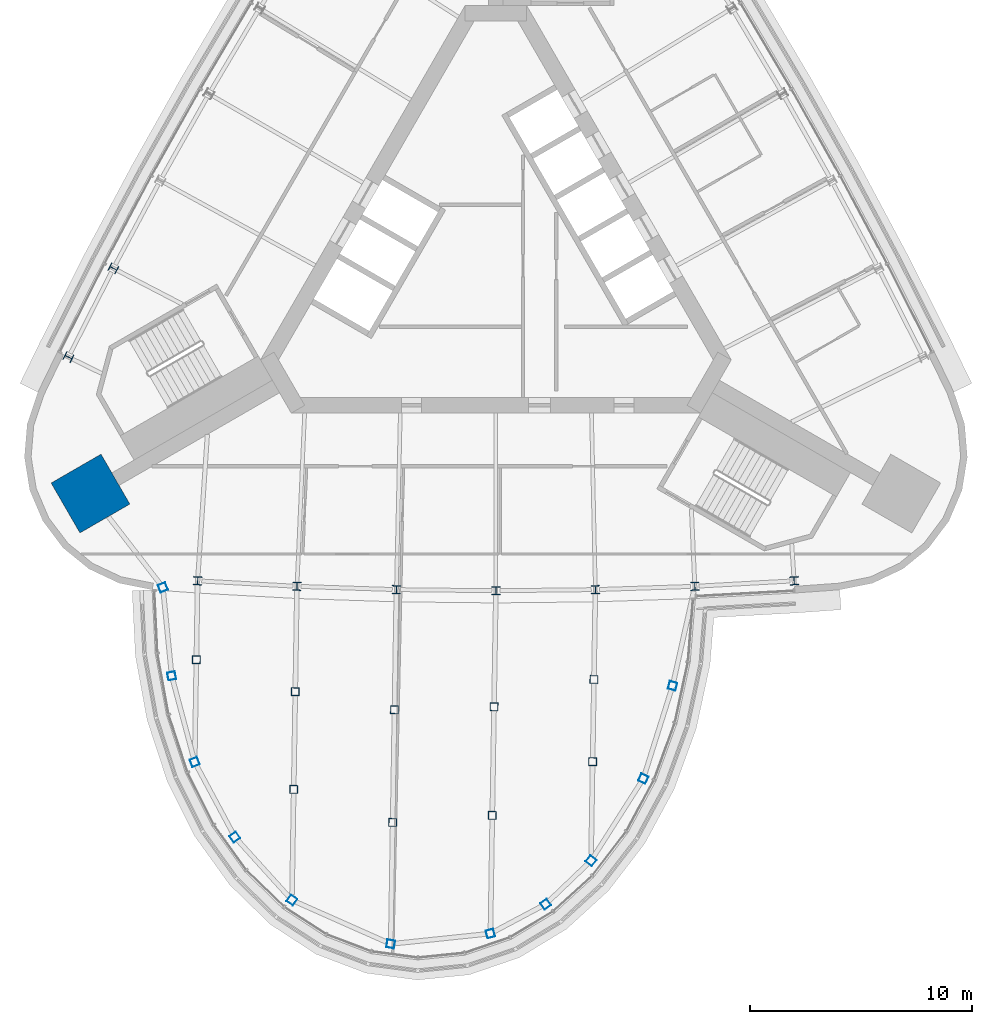
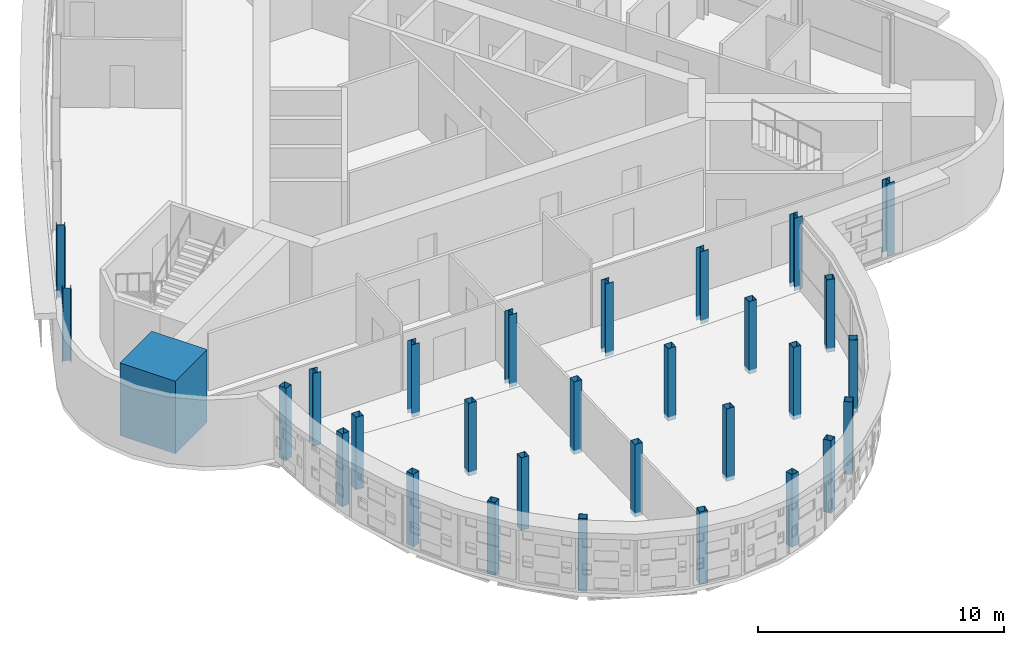
# One storey, part 1 of 14: 30 columns.
"""IFC4 building model written with IfcOpenShell, lengths in metres."""

from ifc_helpers import new_model, si_unit, direction, frame, origin, origin_2d, place, context, subcontext, project, spatial, rectangle, hollow_rectangle, i_section, extrude, material, material_profile, profile_set, type_object, element, save


model = new_model("IFC4")

# Units and contexts
model_context = context("Model", 3, precision=1e-05, world=origin(), true_north=direction((0.0, 1.0)))
body_context = subcontext(model_context, "Body", "Model", "MODEL_VIEW")
ifc_project = project(units=[si_unit("LENGTHUNIT", "METRE"), si_unit("AREAUNIT", "SQUARE_METRE"), si_unit("VOLUMEUNIT", "CUBIC_METRE"), si_unit("PLANEANGLEUNIT", "RADIAN"), si_unit("MASSUNIT", "GRAM", prefix="KILO")], contexts=[model_context])

# Site, building, storey
site_placement = place(None, origin())
site = spatial("IfcSite", under=ifc_project, at=site_placement, CompositionType="ELEMENT")
building_placement = place(site_placement, origin())
building = spatial("IfcBuilding", under=site, at=building_placement, Name="Noor Cloister Tower", CompositionType="ELEMENT")
storey_placement = place(building_placement, frame((0.0, 0.0, 222.0)))
storey = spatial("IfcBuildingStorey", under=building, at=storey_placement, Name="L57", CompositionType="ELEMENT", Elevation=222.0)

# Columns
ifc_material_1 = material(Name="Steel ASTM A992 Gr 50", Category="steel")
ifc_material_profile_1 = material_profile(ifc_material_1, i_section(OverallWidth=0.373046875, OverallDepth=0.367919921875, WebThickness=0.014892578125, FlangeThickness=0.02392578125, FilletRadius=0.01513671875, at=origin_2d()), Name="W360x179")
ifc_profile_set_1 = profile_set([ifc_material_profile_1], Name="Steel ASTM A992 Gr 50")
column_type_1 = type_object("IfcColumnType", Name="Column W360x179", PredefinedType="COLUMN", material=ifc_profile_set_1)
for number, where, z_axis, x_axis, name in (
    (1, (-17.253173828125, -0.399658203125, -0.199951171875), (0.0, 0.0, 1.0), (-0.461186480588, -0.887303234595, 0.0), "Column NW 06 L57"),
    (2, (-19.278564453125, -4.404296875, -0.199951171875), (0.0, 0.0, 1.0), (-0.441436057324, -0.89729270993, 0.0), "Column NW 07 L57"),
    (3, (-13.45361328125, -14.49365234375, -0.199951171875), (0.0, 0.0, 1.0), (0.997796310092, -0.066351515176, 0.0), "Column S 01 L57"),
    (4, (-8.97265625, -14.741943359375, -0.199951171875), (0.0, 0.0, 1.0), (0.999020382313, -0.044252409227, 0.0), "Column S 02 L57"),
    (5, (-4.487548828125, -14.890869140625, -0.199951171875), (0.0, 0.0, 1.0), (0.999755065582, -0.022131625419, 0.0), "Column S 03 L57"),
    (6, (0.0, -14.9404296875, -0.199951171875), (0.0, 0.0, 1.0), (1.0, 0.0, 0.0), "Column S 04 L57"),
    (7, (4.487548828125, -14.890869140625, -0.199951171875), (0.0, 0.0, 1.0), (0.999755065582, 0.022131625419, 0.0), "Column S 05 L57"),
    (8, (8.97265625, -14.741943359375, -0.199951171875), (0.0, 0.0, 1.0), (0.999020382313, 0.044252409227, 0.0), "Column S 06 L57"),
    (9, (13.45361328125, -14.49365234375, -0.199951171875), (0.0, 0.0, 1.0), (0.997796310092, 0.066351515176, 0.0), "Column S 07 L57"),
):
    element("IfcColumn", number, at=place(storey_placement, frame(where, z_axis=z_axis, x_axis=x_axis)), inside=storey, type_object=column_type_1, Name=name, PredefinedType="COLUMN", context=body_context, shape_type="SweptSolid", body=[
        extrude(i_section(OverallWidth=0.373046875, OverallDepth=0.367919921875, WebThickness=0.014892578125, FlangeThickness=0.02392578125, FilletRadius=0.01513671875, at=origin_2d()), origin(), (0.0, 0.0, 1.0), 3.599853515625),
    ])
ifc_material_2 = material(Name="Concrete C60/75", Category="concrete")
ifc_material_profile_2 = material_profile(ifc_material_2, rectangle(XDim=2.60009765625, YDim=2.60009765625, at=origin_2d()), Name="RC 2600x2600")
ifc_profile_set_2 = profile_set([ifc_material_profile_2], Name="Concrete C60/75")
column_type_2 = type_object("IfcColumnType", Name="Corner pier 2600 x 2600 C60/75", PredefinedType="COLUMN", material=ifc_profile_set_2)
column_placement = place(storey_placement, frame((-18.2861328125, -10.5576171875, -0.199951171875), z_axis=(0.0, 0.0, 1.0), x_axis=(-0.866025403784, -0.5, 0.0)))
element("IfcColumn", 10, at=column_placement, inside=storey, type_object=column_type_2, Name="Corner pier SW L57", PredefinedType="COLUMN", context=body_context, shape_type="SweptSolid", body=[
    extrude(rectangle(XDim=2.60009765625, YDim=2.60009765625, at=origin_2d()), origin(), (0.0, 0.0, 1.0), 3.599853515625),
])
ifc_material_3 = material(Name="Steel ASTM A500 Gr C", Category="steel")
ifc_material_profile_3 = material_profile(ifc_material_3, hollow_rectangle(XDim=0.35595703125, YDim=0.35595703125, WallThickness=0.0126953125, at=origin_2d()), Name="HSS355.6x355.6x12.7")
ifc_profile_set_3 = profile_set([ifc_material_profile_3], Name="Steel ASTM A500 Gr C")
column_type_3 = type_object("IfcColumnType", Name="Pod post HSS355.6x355.6x12.7", PredefinedType="COLUMN", material=ifc_profile_set_3)
for number, where, z_axis, x_axis, name in (
    (11, (-13.5107421875, -18.053466796875, -0.199951171875), (0.0, 0.0, 1.0), (-0.016039464463, -0.999871359516, 0.0), "Pod post 4 L57 line 1 node 1"),
    (12, (-9.049072265625, -19.49462890625, -0.199951171875), (0.0, 0.0, 1.0), (-0.016039464463, -0.999871359516, 0.0), "Pod post 4 L57 line 2 node 1"),
    (13, (-9.11962890625, -23.901611328125, -0.199951171875), (0.0, 0.0, 1.0), (-0.016039464463, -0.999871359516, 0.0), "Pod post 4 L57 line 2 node 2"),
    (14, (-4.574462890625, -20.312744140625, -0.199951171875), (0.0, 0.0, 1.0), (-0.016039464463, -0.999871359516, 0.0), "Pod post 4 L57 line 3 node 1"),
    (15, (-4.656005859375, -25.392822265625, -0.199951171875), (0.0, 0.0, 1.0), (-0.016039464463, -0.999871359516, 0.0), "Pod post 4 L57 line 3 node 2"),
    (16, (-0.083984375, -20.17919921875, -0.199951171875), (0.0, 0.0, 1.0), (-0.016039464463, -0.999871359516, 0.0), "Pod post 4 L57 line 4 node 1"),
    (17, (-0.16259765625, -25.07421875, -0.199951171875), (0.0, 0.0, 1.0), (-0.016039464463, -0.999871359516, 0.0), "Pod post 4 L57 line 4 node 2"),
    (18, (4.42236328125, -18.9443359375, -0.199951171875), (0.0, 0.0, 1.0), (-0.016039464463, -0.999871359516, 0.0), "Pod post 4 L57 line 5 node 1"),
    (19, (4.363037109375, -22.650146484375, -0.199951171875), (0.0, 0.0, 1.0), (-0.016039464463, -0.999871359516, 0.0), "Pod post 4 L57 line 5 node 2"),
    (20, (-15.020751953125, -14.789794921875, -0.199951171875), (0.0, 0.0, 1.0), (0.370053104001, -0.929010602856, 0.0), "Pod post 4 L57 ring 2"),
    (21, (-14.622802734375, -18.781005859375, -0.199951171875), (0.0, 0.0, 1.0), (0.179301974184, -0.983794085189, 0.0), "Pod post 4 L57 ring 3"),
    (22, (-13.584716796875, -22.66943359375, -0.199951171875), (0.0, 0.0, 1.0), (0.364969421479, -0.931019506447, 0.0), "Pod post 4 L57 ring 4"),
    (23, (-11.772705078125, -26.0517578125, -0.199951171875), (0.0, 0.0, 1.0), (0.575844384689, -0.817559321776, 0.0), "Pod post 4 L57 ring 5"),
    (24, (-9.19970703125, -28.89501953125, -0.199951171875), (0.0, 0.0, 1.0), (0.824616610555, -0.565692005951, 0.0), "Pod post 4 L57 ring 6"),
    (25, (-4.743896484375, -30.87353515625, -0.199951171875), (0.0, 0.0, 1.0), (0.986089930932, -0.166212659308, 0.0), "Pod post 4 L57 ring 7"),
    (26, (-0.248046875, -30.404052734375, -0.199951171875), (0.0, 0.0, 1.0), (0.968527880789, 0.248905090614, 0.0), "Pod post 4 L57 ring 8"),
    (27, (2.246337890625, -29.0771484375, -0.199951171875), (0.0, 0.0, 1.0), (0.810277438897, 0.586046475986, 0.0), "Pod post 4 L57 ring 9"),
    (28, (4.291259765625, -27.120849609375, -0.199951171875), (0.0, 0.0, 1.0), (0.614121771124, 0.789211283644, 0.0), "Pod post 4 L57 ring 10"),
    (29, (6.649658203125, -23.418212890625, -0.199951171875), (0.0, 0.0, 1.0), (0.422538368102, 0.906345037765, 0.0), "Pod post 4 L57 ring 11"),
    (30, (7.969970703125, -19.229736328125, -0.199951171875), (0.0, 0.0, 1.0), (0.259465118082, 0.965752479934, 0.0), "Pod post 4 L57 ring 12"),
):
    element("IfcColumn", number, at=place(storey_placement, frame(where, z_axis=z_axis, x_axis=x_axis)), inside=storey, type_object=column_type_3, Name=name, PredefinedType="COLUMN", context=body_context, shape_type="SweptSolid", body=[
        extrude(hollow_rectangle(XDim=0.35595703125, YDim=0.35595703125, WallThickness=0.0126953125, at=origin_2d()), origin(), (0.0, 0.0, 1.0), 3.599853515625),
    ])

save(model, "model.ifc")
